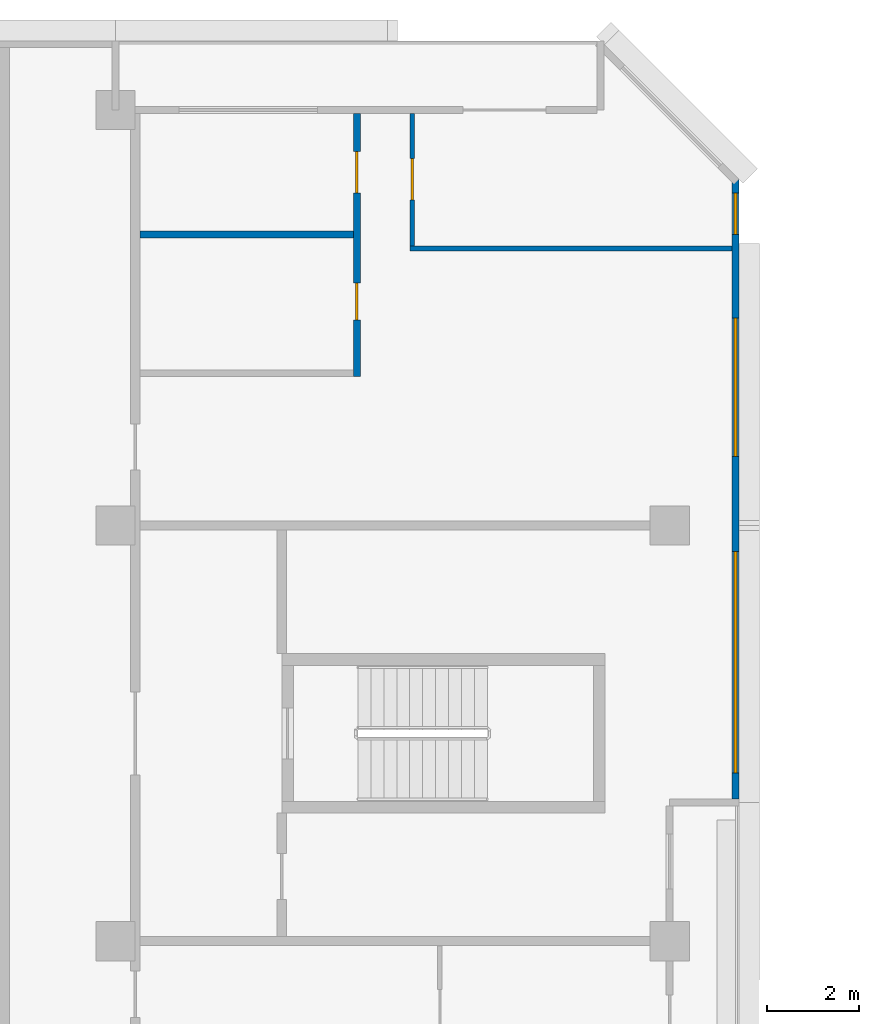
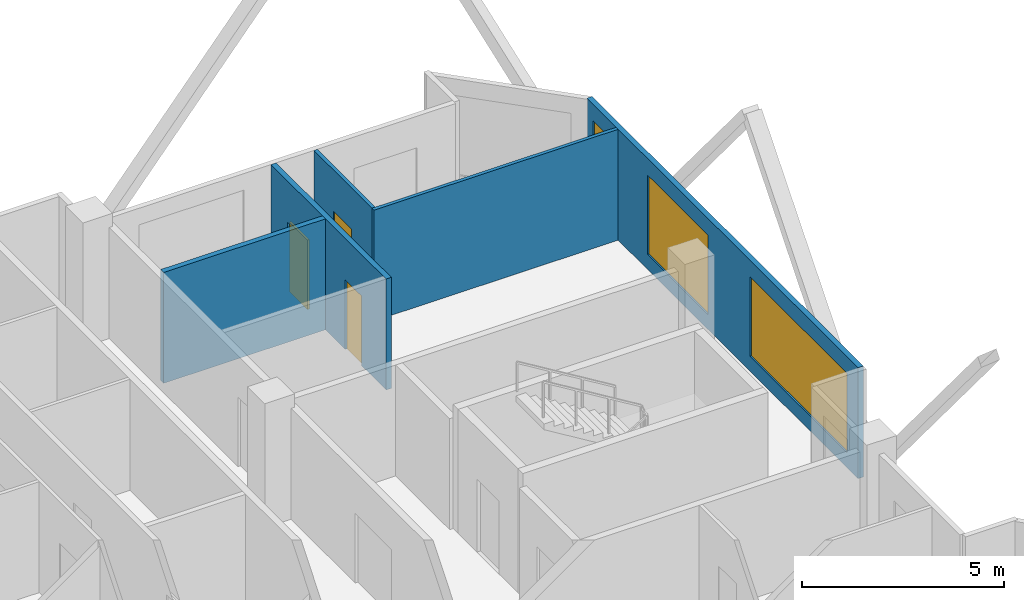
# One storey, part 11 of 15: 5 walls, 3 doors, 3 windows, 6 openings.
"""IFC4 building model written with IfcOpenShell, lengths in metres."""

from ifc_helpers import new_model, si_unit, direction, frame, frame_2d, origin, place, context, subcontext, project, spatial, rectangle, extrude, material, layer, layer_set, type_object, element, fill, save


model = new_model("IFC4")

# Units and contexts
model_context = context("Model", 3, precision=1e-05, world=origin(), true_north=direction((0.0, 1.0)))
body_context = subcontext(model_context, "Body", "Model", "MODEL_VIEW")
ifc_project = project(units=[si_unit("LENGTHUNIT", "METRE"), si_unit("AREAUNIT", "SQUARE_METRE"), si_unit("VOLUMEUNIT", "CUBIC_METRE"), si_unit("PLANEANGLEUNIT", "RADIAN"), si_unit("MASSUNIT", "GRAM", prefix="KILO")], contexts=[model_context])

# Site, building, storey
site_placement = place(None, origin())
site = spatial("IfcSite", under=ifc_project, at=site_placement, CompositionType="ELEMENT")
building_placement = place(site_placement, origin())
building = spatial("IfcBuilding", under=site, at=building_placement, Name="Chenar Terraces", CompositionType="ELEMENT")
storey_placement = place(building_placement, frame((0.0, 0.0, 211.64990234375)))
storey = spatial("IfcBuildingStorey", under=building, at=storey_placement, Name="L49", CompositionType="ELEMENT", Elevation=211.64990234375)

# Wall, openings, windows
ifc_material_1 = material(Name="Aluminium framed glazing", Category="aluminium")
ifc_layer_1 = layer(ifc_material_1, 0.14990234375)
ifc_layer_set_1 = layer_set([ifc_layer_1], Name="Aluminium framed glazing")
wall_type_1 = type_object("IfcWallType", Name="Glazed flush facade wall 150", PredefinedType="SOLIDWALL", material=ifc_layer_set_1)
wall_1_placement = place(storey_placement, frame((25.425048828125, 48.074951171875, 0.0), z_axis=(0.0, 0.0, 1.0), x_axis=(0.0, 1.0, 0.0)))
wall_1 = element("IfcWall", 1, at=wall_1_placement, inside=storey, type_object=wall_type_1, Name="Glazed flush facade wall", PredefinedType="SOLIDWALL", context=body_context, shape_type="SweptSolid", body=[
    extrude(rectangle(XDim=13.425048828125, YDim=0.14990234375, at=frame_2d((6.71240234375, 0.0))), origin(), (0.0, 0.0, 1.0), 3.35009765625),
])
opening_1_placement = place(wall_1_placement, frame((0.5625, 0.0, 0.449951171875)))
opening_1 = element("IfcOpeningElement", 2, at=opening_1_placement, cuts=wall_1, Name="Opening W480x240", PredefinedType="OPENING", context=body_context, shape_type="SweptSolid", body=[
    extrude(rectangle(XDim=4.800048828125, YDim=2.39990234375, at=frame_2d((2.39990234375, 1.199951171875))), frame((0.0, 0.0849609375, 0.0), z_axis=(0.0, -1.0, 0.0), x_axis=(1.0, 0.0, 0.0)), (0.0, 0.0, 1.0), 0.169921875),
])
opening_2_placement = place(wall_1_placement, frame((7.425048828125, 0.0, 0.449951171875)))
opening_2 = element("IfcOpeningElement", 3, at=opening_2_placement, cuts=wall_1, Name="Opening W300x240", PredefinedType="OPENING", context=body_context, shape_type="SweptSolid", body=[
    extrude(rectangle(XDim=3.0, YDim=2.39990234375, at=frame_2d((1.5, 1.199951171875))), frame((0.0, 0.0849609375, 0.0), z_axis=(0.0, -1.0, 0.0), x_axis=(1.0, 0.0, 0.0)), (0.0, 0.0, 1.0), 0.169921875),
])
opening_3_placement = place(wall_1_placement, frame((12.22509765625, 0.0, 0.449951171875)))
opening_3 = element("IfcOpeningElement", 4, at=opening_3_placement, cuts=wall_1, Name="Opening W90x240", PredefinedType="OPENING", context=body_context, shape_type="SweptSolid", body=[
    extrude(rectangle(XDim=0.89990234375, YDim=2.39990234375, at=frame_2d((0.449951171875, 1.199951171875))), frame((0.0, 0.0849609375, 0.0), z_axis=(0.0, -1.0, 0.0), x_axis=(1.0, 0.0, 0.0)), (0.0, 0.0, 1.0), 0.169921875),
])
ifc_material_2 = material(Name="Low emissivity double glazing, aluminium frame", Category="aluminium")
window_type_1 = type_object("IfcWindowType", Name="Fixed light 3000 x 2400", PartitioningType="SINGLE_PANEL", PredefinedType="WINDOW", material=ifc_material_2)
window_1_placement = place(opening_2_placement, origin())
window_1 = element("IfcWindow", 5, at=window_1_placement, inside=storey, type_object=window_type_1, Name="Window", OverallHeight=2.39990234375, OverallWidth=3.0, PartitioningType="SINGLE_PANEL", PredefinedType="WINDOW", context=body_context, shape_type="SweptSolid", body=[
    extrude(rectangle(XDim=3.0, YDim=2.39990234375, at=frame_2d((1.5, 1.199951171875))), frame((0.0, 0.030029296875, 0.0), z_axis=(0.0, -1.0, 0.0), x_axis=(1.0, 0.0, 0.0)), (0.0, 0.0, 1.0), 0.06005859375),
])
fill(opening_2, window_1)
ifc_material_3 = material(Name="Low emissivity double glazing, aluminium frame", Category="aluminium")
window_type_2 = type_object("IfcWindowType", Name="Fixed light 4800 x 2400", PartitioningType="SINGLE_PANEL", PredefinedType="WINDOW", material=ifc_material_3)
window_2_placement = place(opening_1_placement, origin())
window_2 = element("IfcWindow", 6, at=window_2_placement, inside=storey, type_object=window_type_2, Name="Window", OverallHeight=2.39990234375, OverallWidth=4.800048828125, PartitioningType="SINGLE_PANEL", PredefinedType="WINDOW", context=body_context, shape_type="SweptSolid", body=[
    extrude(rectangle(XDim=4.800048828125, YDim=2.39990234375, at=frame_2d((2.39990234375, 1.199951171875))), frame((0.0, 0.030029296875, 0.0), z_axis=(0.0, -1.0, 0.0), x_axis=(1.0, 0.0, 0.0)), (0.0, 0.0, 1.0), 0.06005859375),
])
fill(opening_1, window_2)
ifc_material_4 = material(Name="Low emissivity double glazing, aluminium frame", Category="aluminium")
window_type_3 = type_object("IfcWindowType", Name="Fixed light 900 x 2400", PartitioningType="SINGLE_PANEL", PredefinedType="WINDOW", material=ifc_material_4)
window_3_placement = place(opening_3_placement, origin())
window_3 = element("IfcWindow", 7, at=window_3_placement, inside=storey, type_object=window_type_3, Name="Window", OverallHeight=2.39990234375, OverallWidth=0.89990234375, PartitioningType="SINGLE_PANEL", PredefinedType="WINDOW", context=body_context, shape_type="SweptSolid", body=[
    extrude(rectangle(XDim=0.89990234375, YDim=2.39990234375, at=frame_2d((0.449951171875, 1.199951171875))), frame((0.0, 0.030029296875, 0.0), z_axis=(0.0, -1.0, 0.0), x_axis=(1.0, 0.0, 0.0)), (0.0, 0.0, 1.0), 0.06005859375),
])
fill(opening_3, window_3)

# Wall
ifc_material_5 = material(Name="Gypsum board on steel studs", Category="steel")
ifc_layer_2 = layer(ifc_material_5, 0.10009765625)
ifc_layer_set_2 = layer_set([ifc_layer_2], Name="Gypsum board on steel studs")
wall_type_2 = type_object("IfcWallType", Name="Gypsum partition 100", PredefinedType="PARTITIONING", material=ifc_layer_set_2)
wall_2_placement = place(storey_placement, frame((18.375, 60.0, 0.0), z_axis=(0.0, 0.0, 1.0), x_axis=(1.0, 0.0, 0.0)))
element("IfcWall", 8, at=wall_2_placement, inside=storey, type_object=wall_type_2, Name="Partition L49-048", PredefinedType="PARTITIONING", context=body_context, shape_type="SweptSolid", body=[
    extrude(rectangle(XDim=6.97509765625, YDim=0.10009765625, at=frame_2d((3.487548828125, 0.0))), origin(), (0.0, 0.0, 1.0), 3.35009765625),
])

# Wall, opening, door
wall_3_placement = place(storey_placement, frame((18.425048828125, 60.050048828125, 0.0), z_axis=(0.0, 0.0, 1.0), x_axis=(0.0, 1.0, 0.0)))
wall_3 = element("IfcWall", 9, at=wall_3_placement, inside=storey, type_object=wall_type_2, Name="Partition L49-049", PredefinedType="PARTITIONING", context=body_context, shape_type="SweptSolid", body=[
    extrude(rectangle(XDim=2.8759765625, YDim=0.10009765625, at=frame_2d((1.43798828125, 0.0))), origin(), (0.0, 0.0, 1.0), 3.35009765625),
])
opening_4_placement = place(wall_3_placement, frame((1.0, 0.0, 0.0)))
opening_4 = element("IfcOpeningElement", 10, at=opening_4_placement, cuts=wall_3, Name="Opening DL49-20", PredefinedType="OPENING", context=body_context, shape_type="SweptSolid", body=[
    extrude(rectangle(XDim=0.89990234375, YDim=2.10009765625, at=frame_2d((0.449951171875, 1.050048828125))), frame((0.0, 0.06005859375, 0.0), z_axis=(0.0, -1.0, 0.0), x_axis=(1.0, 0.0, 0.0)), (0.0, 0.0, 1.0), 0.1201171875),
])
ifc_material_6 = material(Name="Veneered timber door leaf", Category="wood")
door_type_1 = type_object("IfcDoorType", Name="Door 900 x 2100", OperationType="SINGLE_SWING_LEFT", PredefinedType="DOOR", material=ifc_material_6)
door_1_placement = place(opening_4_placement, frame((0.89990234375, 0.0, 0.0), z_axis=(0.0, 0.0, 1.0), x_axis=(-1.0, 0.0, 0.0)))
door_1 = element("IfcDoor", 11, at=door_1_placement, inside=storey, type_object=door_type_1, Name="Door DL49-20", OperationType="SINGLE_SWING_LEFT", OverallHeight=2.10009765625, OverallWidth=0.89990234375, PredefinedType="DOOR", context=body_context, shape_type="SweptSolid", body=[
    extrude(rectangle(XDim=0.89990234375, YDim=2.10009765625, at=frame_2d((0.449951171875, 1.050048828125))), frame((0.0, 0.02490234375, 0.0), z_axis=(0.0, -1.0, 0.0), x_axis=(1.0, 0.0, 0.0)), (0.0, 0.0, 1.0), 0.050048828125),
])
fill(opening_4, door_1)

# Wall
ifc_material_7 = material(Name="Moisture-resistant gypsum board on steel studs", Category="steel")
ifc_layer_3 = layer(ifc_material_7, 0.14990234375)
ifc_layer_set_3 = layer_set([ifc_layer_3], Name="Moisture-resistant gypsum board on steel studs")
wall_type_3 = type_object("IfcWallType", Name="Wet-room partition 150", PredefinedType="PARTITIONING", material=ifc_layer_set_3)
wall_4_placement = place(storey_placement, frame((12.52490234375, 60.300048828125, 0.0), z_axis=(0.0, 0.0, 1.0), x_axis=(1.0, 0.0, 0.0)))
element("IfcWall", 12, at=wall_4_placement, inside=storey, type_object=wall_type_3, Name="Partition L49-042", PredefinedType="PARTITIONING", context=body_context, shape_type="SweptSolid", body=[
    extrude(rectangle(XDim=4.625, YDim=0.14990234375, at=frame_2d((2.3125, 0.0))), origin(), (0.0, 0.0, 1.0), 3.35009765625),
])

# Wall, openings, doors
wall_5_placement = place(storey_placement, frame((17.22509765625, 57.22509765625, 0.0), z_axis=(0.0, 0.0, 1.0), x_axis=(0.0, 1.0, 0.0)))
wall_5 = element("IfcWall", 13, at=wall_5_placement, inside=storey, type_object=wall_type_3, Name="Partition L49-046", PredefinedType="PARTITIONING", context=body_context, shape_type="SweptSolid", body=[
    extrude(rectangle(XDim=5.700927734375, YDim=0.14990234375, at=frame_2d((2.8505859375, 0.0))), origin(), (0.0, 0.0, 1.0), 3.35009765625),
])
opening_5_placement = place(wall_5_placement, frame((1.22509765625, 0.0, 0.0)))
opening_5 = element("IfcOpeningElement", 14, at=opening_5_placement, cuts=wall_5, Name="Opening DL49-19", PredefinedType="OPENING", context=body_context, shape_type="SweptSolid", body=[
    extrude(rectangle(XDim=0.800048828125, YDim=2.10009765625, at=frame_2d((0.39990234375, 1.050048828125))), frame((0.0, 0.0849609375, 0.0), z_axis=(0.0, -1.0, 0.0), x_axis=(1.0, 0.0, 0.0)), (0.0, 0.0, 1.0), 0.169921875),
])
opening_6_placement = place(wall_5_placement, frame((3.97509765625, 0.0, 0.0)))
opening_6 = element("IfcOpeningElement", 15, at=opening_6_placement, cuts=wall_5, Name="Opening DL49-21", PredefinedType="OPENING", context=body_context, shape_type="SweptSolid", body=[
    extrude(rectangle(XDim=0.89990234375, YDim=2.10009765625, at=frame_2d((0.449951171875, 1.050048828125))), frame((0.0, 0.0849609375, 0.0), z_axis=(0.0, -1.0, 0.0), x_axis=(1.0, 0.0, 0.0)), (0.0, 0.0, 1.0), 0.169921875),
])
ifc_material_8 = material(Name="Veneered timber door leaf", Category="wood")
door_type_2 = type_object("IfcDoorType", Name="Door 800 x 2100", OperationType="SINGLE_SWING_LEFT", PredefinedType="DOOR", material=ifc_material_8)
door_2_placement = place(opening_5_placement, origin())
door_2 = element("IfcDoor", 16, at=door_2_placement, inside=storey, type_object=door_type_2, Name="Door DL49-19", OperationType="SINGLE_SWING_RIGHT", OverallHeight=2.10009765625, OverallWidth=0.800048828125, PredefinedType="DOOR", context=body_context, shape_type="SweptSolid", body=[
    extrude(rectangle(XDim=0.800048828125, YDim=2.10009765625, at=frame_2d((0.39990234375, 1.050048828125))), frame((0.0, 0.02490234375, 0.0), z_axis=(0.0, -1.0, 0.0), x_axis=(1.0, 0.0, 0.0)), (0.0, 0.0, 1.0), 0.050048828125),
])
fill(opening_5, door_2)
door_3_placement = place(opening_6_placement, origin())
door_3 = element("IfcDoor", 17, at=door_3_placement, inside=storey, type_object=door_type_1, Name="Door DL49-21", OperationType="SINGLE_SWING_RIGHT", OverallHeight=2.10009765625, OverallWidth=0.89990234375, PredefinedType="DOOR", context=body_context, shape_type="SweptSolid", body=[
    extrude(rectangle(XDim=0.89990234375, YDim=2.10009765625, at=frame_2d((0.449951171875, 1.050048828125))), frame((0.0, 0.02490234375, 0.0), z_axis=(0.0, -1.0, 0.0), x_axis=(1.0, 0.0, 0.0)), (0.0, 0.0, 1.0), 0.050048828125),
])
fill(opening_6, door_3)

save(model, "model.ifc")
